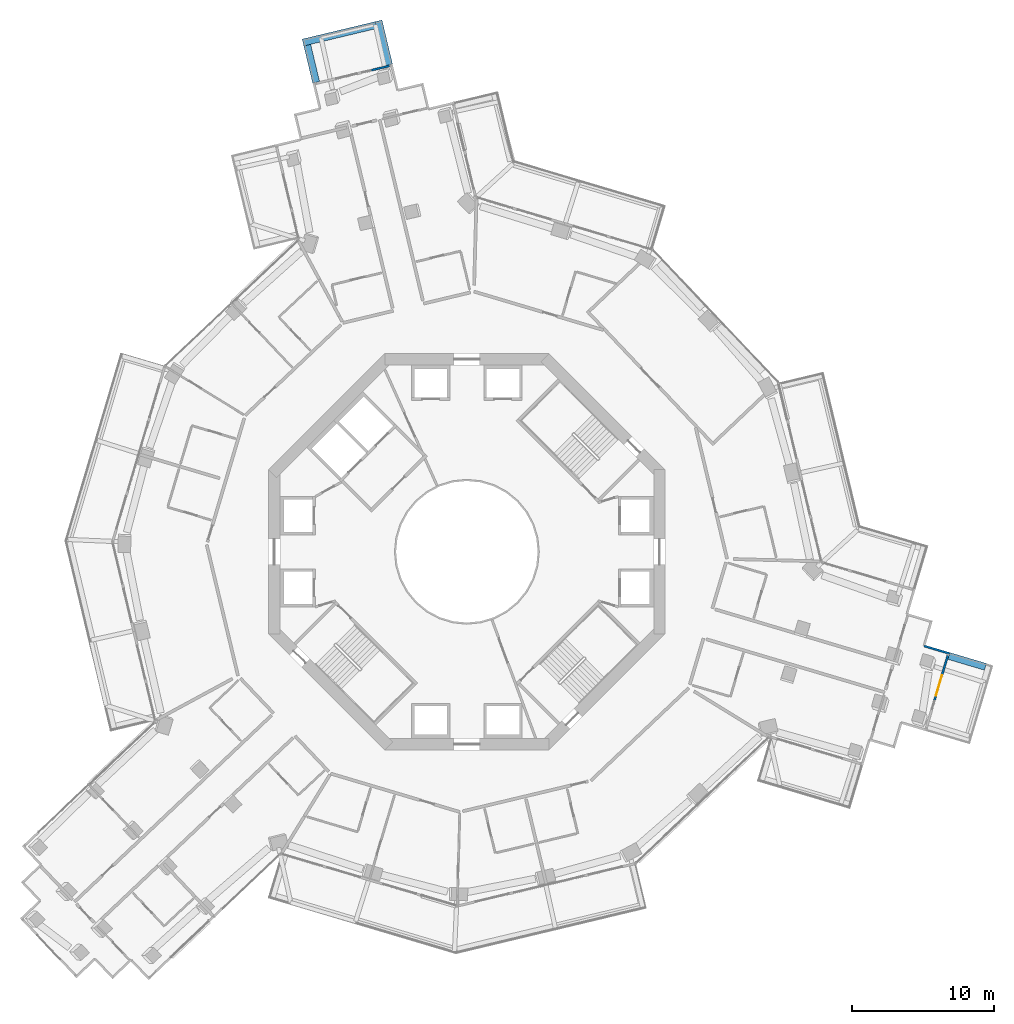
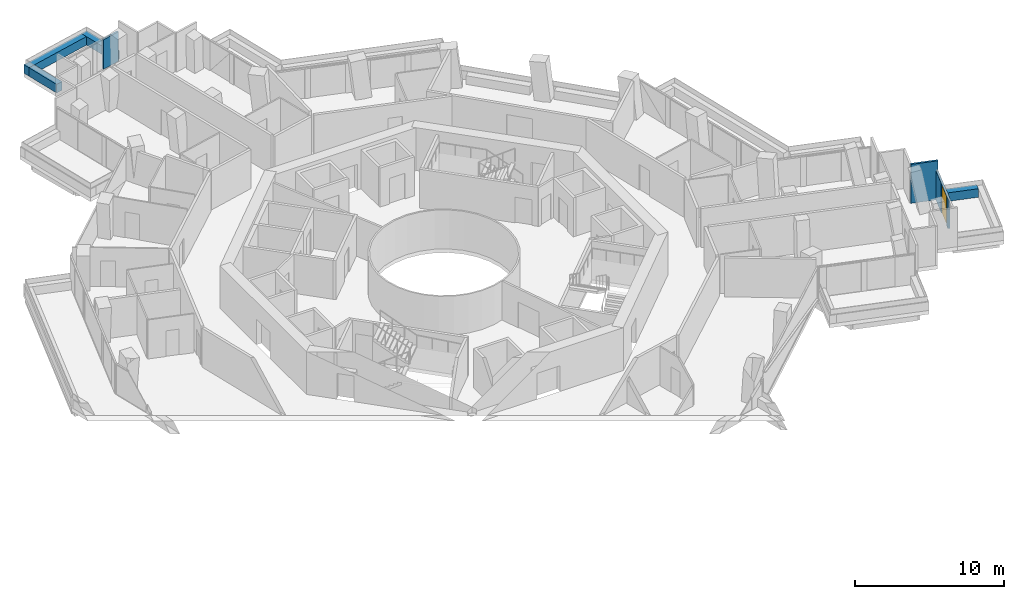
# One storey, part 24 of 27: 7 walls, 1 door, 1 opening.
"""IFC4 building model written with IfcOpenShell, lengths in metres."""

from ifc_helpers import new_model, si_unit, direction, frame, frame_2d, origin, place, context, subcontext, project, spatial, rectangle, extrude, material, layer, layer_set, type_object, element, fill, save


model = new_model("IFC4")

# Units and contexts
model_context = context("Model", 3, precision=1e-05, world=origin(), true_north=direction((0.0, 1.0)))
body_context = subcontext(model_context, "Body", "Model", "MODEL_VIEW")
ifc_project = project(units=[si_unit("LENGTHUNIT", "METRE"), si_unit("AREAUNIT", "SQUARE_METRE"), si_unit("VOLUMEUNIT", "CUBIC_METRE"), si_unit("PLANEANGLEUNIT", "RADIAN"), si_unit("MASSUNIT", "GRAM", prefix="KILO")], contexts=[model_context])

# Site, building, storey
site_placement = place(None, origin())
site = spatial("IfcSite", under=ifc_project, at=site_placement, CompositionType="ELEMENT")
building_placement = place(site_placement, origin())
building = spatial("IfcBuilding", under=site, at=building_placement, Name="Verdalira Terraces Hotel", CompositionType="ELEMENT")
storey_placement = place(building_placement, frame((0.0, 0.0, 89.5)))
storey = spatial("IfcBuildingStorey", under=building, at=storey_placement, Name="L20", CompositionType="ELEMENT", Elevation=89.5)

# Walls
ifc_material_1 = material(Name="Concrete C40", Category="concrete")
ifc_layer_1 = layer(ifc_material_1, 0.5)
ifc_layer_set_1 = layer_set([ifc_layer_1], Name="Balcony planter trough with tree")
wall_type_1 = type_object("IfcWallType", Name="Balcony planter trough with tree", PredefinedType="SOLIDWALL", material=ifc_layer_set_1)
wall_1_placement = place(storey_placement, frame((-5.493408, 34.38916, 0.0), z_axis=(0.0, 0.0, 1.0), x_axis=(-0.232394299, 0.972621658, 0.0)))
element("IfcWall", 1, at=wall_1_placement, inside=storey, type_object=wall_type_1, Name="Balcony planter", PredefinedType="SOLIDWALL", context=body_context, shape_type="SweptSolid", body=[
    extrude(rectangle(XDim=3.198975, YDim=0.5, at=frame_2d((1.599609, 0.0))), origin(), (0.0, 0.0, 1.0), 0.699951),
])
wall_2_placement = place(storey_placement, frame((-6.421875, 37.199219, 0.0), z_axis=(0.0, 0.0, 1.0), x_axis=(-0.97261263, -0.232432078, 0.0)))
element("IfcWall", 2, at=wall_2_placement, inside=storey, type_object=wall_type_1, Name="Balcony planter", PredefinedType="SOLIDWALL", context=body_context, shape_type="SweptSolid", body=[
    extrude(rectangle(XDim=5.300293, YDim=0.5, at=frame_2d((2.650146, 0.0))), origin(), (0.0, 0.0, 1.0), 0.699951),
])
wall_3_placement = place(storey_placement, frame((-11.275635, 35.782227, 0.0), z_axis=(0.0, 0.0, 1.0), x_axis=(0.232476487, -0.972602017, 0.0)))
element("IfcWall", 3, at=wall_3_placement, inside=storey, type_object=wall_type_1, Name="Balcony planter", PredefinedType="SOLIDWALL", context=body_context, shape_type="SweptSolid", body=[
    extrude(rectangle(XDim=2.698975, YDim=0.5, at=frame_2d((1.349609, 0.0))), origin(), (0.0, 0.0, 1.0), 0.699951),
])
wall_4_placement = place(storey_placement, frame((36.626221, -8.126221, 0.0), z_axis=(0.0, 0.0, 1.0), x_axis=(-0.958523, 0.28501519, 0.0)))
element("IfcWall", 4, at=wall_4_placement, inside=storey, type_object=wall_type_1, Name="Balcony planter", PredefinedType="SOLIDWALL", context=body_context, shape_type="SweptSolid", body=[
    extrude(rectangle(XDim=2.699219, YDim=0.5, at=frame_2d((1.349609, 0.0))), origin(), (0.0, 0.0, 1.0), 0.699951),
])
ifc_material_2 = material(Name="Terracotta cladding", Category="masonry")
ifc_layer_2 = layer(ifc_material_2, 0.14990234375)
ifc_layer_set_2 = layer_set([ifc_layer_2], Name="Terracotta clad wall 150")
wall_type_2 = type_object("IfcWallType", Name="Terracotta clad wall 150", PredefinedType="SOLIDWALL", material=ifc_layer_set_2)
wall_5_placement = place(storey_placement, frame((34.088135, -7.188965, 0.0), z_axis=(0.0, 0.0, 1.0), x_axis=(-0.958525782, 0.285005832, 0.0)))
element("IfcWall", 5, at=wall_5_placement, inside=storey, type_object=wall_type_2, Name="Terracotta cladding wall", PredefinedType="SOLIDWALL", context=body_context, shape_type="SweptSolid", body=[
    extrude(rectangle(XDim=1.875244, YDim=0.149902, at=frame_2d((0.9375, 0.0))), origin(), (0.0, 0.0, 1.0), 3.189941),
])
ifc_material_3 = material(Name="Terracotta cladding", Category="masonry")
ifc_layer_3 = layer(ifc_material_3, 0.14990234375)
ifc_layer_set_3 = layer_set([ifc_layer_3], Name="Terracotta column pier 150")
wall_type_3 = type_object("IfcWallType", Name="Terracotta column pier 150", PredefinedType="SOLIDWALL", material=ifc_layer_set_3)
wall_6_placement = place(storey_placement, frame((-5.456299, 34.319824, 0.0), z_axis=(0.0, 0.0, 1.0), x_axis=(-0.972614487, -0.232424308, 0.0)))
element("IfcWall", 6, at=wall_6_placement, inside=storey, type_object=wall_type_3, Name="Terracotta column pier", PredefinedType="SOLIDWALL", context=body_context, shape_type="SweptSolid", body=[
    extrude(rectangle(XDim=1.382324, YDim=0.149902, at=frame_2d((0.691162, 0.0))), origin(), (0.0, 0.0, 1.0), 2.425049),
])

# Wall, opening, door
ifc_material_4 = material(Name="Terracotta cladding", Category="masonry")
ifc_layer_4 = layer(ifc_material_4, 0.14990234375)
ifc_layer_set_4 = layer_set([ifc_layer_4], Name="Terracotta door pier 150")
wall_type_4 = type_object("IfcWallType", Name="Terracotta door pier 150", PredefinedType="SOLIDWALL", material=ifc_layer_set_4)
wall_7_placement = place(storey_placement, frame((33.011475, -10.546387, 0.0), z_axis=(0.0, 0.0, 1.0), x_axis=(0.285000851, 0.958527264, 0.0)))
wall_7 = element("IfcWall", 7, at=wall_7_placement, inside=storey, type_object=wall_type_4, Name="Terracotta door pier", PredefinedType="SOLIDWALL", context=body_context, shape_type="SweptSolid", body=[
    extrude(rectangle(XDim=3.369873, YDim=0.149902, at=frame_2d((1.685059, 0.0))), origin(), (0.0, 0.0, 1.0), 2.425049),
])
opening_placement = place(wall_7_placement, frame((0.399902, 0.0, 0.0)))
opening = element("IfcOpeningElement", 8, at=opening_placement, cuts=wall_7, Name="Opening L20-B13", PredefinedType="OPENING", context=body_context, shape_type="SweptSolid", body=[
    extrude(rectangle(XDim=1.5, YDim=2.399902, at=frame_2d((0.75, 1.199951))), frame((0.0, 0.084961, 0.0), z_axis=(0.0, -1.0, 0.0), x_axis=(1.0, 0.0, 0.0)), (0.0, 0.0, 1.0), 0.169922),
])
ifc_material_5 = material(Name="Clear glass", Category="glass")
door_type = type_object("IfcDoorType", Name="Balcony sliding door 1500x2400", OperationType="NOTDEFINED", PredefinedType="DOOR", material=ifc_material_5)
door_placement = place(opening_placement, origin())
door = element("IfcDoor", 9, at=door_placement, inside=storey, type_object=door_type, Name="Balcony sliding door", OperationType="SLIDING_TO_RIGHT", OverallHeight=2.39990234375, OverallWidth=1.5, PredefinedType="DOOR", context=body_context, shape_type="SweptSolid", body=[
    extrude(rectangle(XDim=1.5, YDim=2.399902, at=frame_2d((0.75, 1.199951))), frame((0.0, 0.024902, 0.0), z_axis=(0.0, -1.0, 0.0), x_axis=(1.0, 0.0, 0.0)), (0.0, 0.0, 1.0), 0.050049),
])
fill(opening, door)

save(model, "model.ifc")
